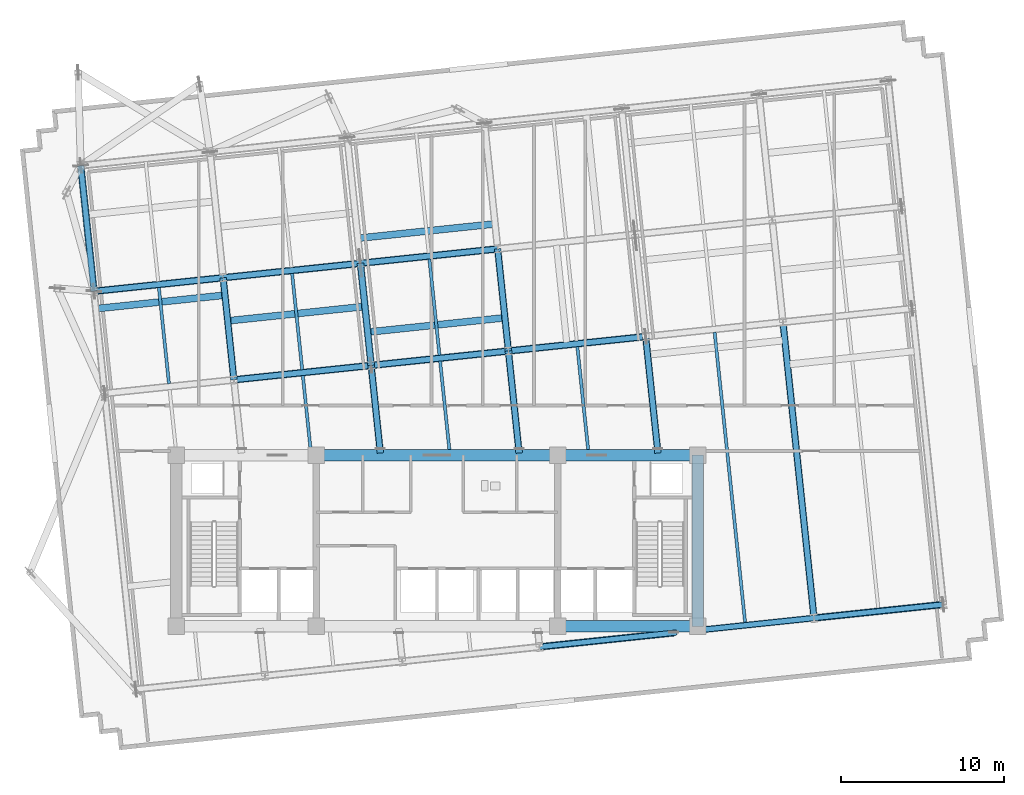
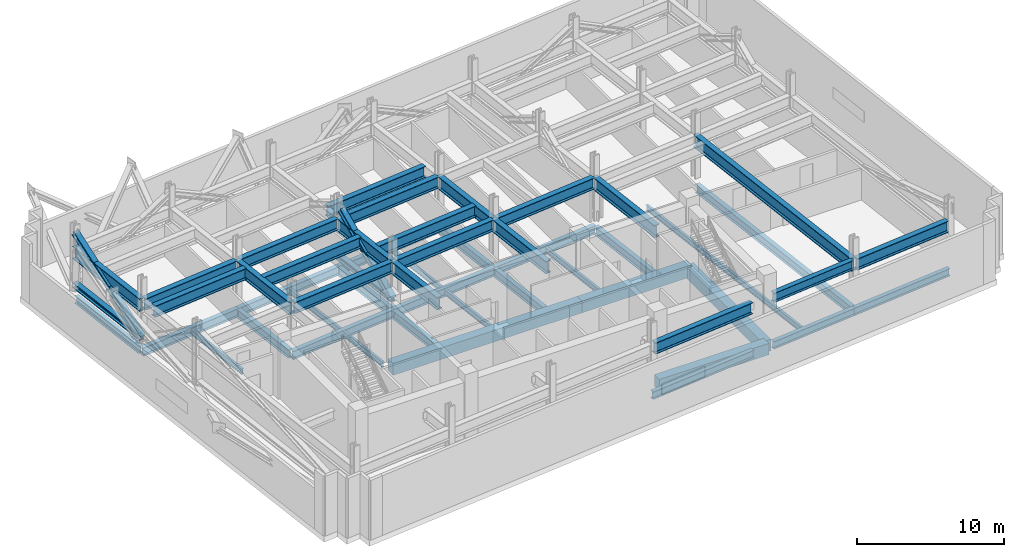
# One storey, part 2 of 11: 49 beams, 4 members.
"""IFC4 building model written with IfcOpenShell, lengths in metres."""

from ifc_helpers import new_model, si_unit, direction, frame, origin, origin_2d, place, context, subcontext, project, spatial, rectangle, i_section, extrude, material, material_profile, profile_set, type_object, element, save


model = new_model("IFC4")

# Units and contexts
model_context = context("Model", 3, precision=1e-05, world=origin(), true_north=direction((0.0, 1.0)))
body_context = subcontext(model_context, "Body", "Model", "MODEL_VIEW")
ifc_project = project(units=[si_unit("LENGTHUNIT", "METRE"), si_unit("AREAUNIT", "SQUARE_METRE"), si_unit("VOLUMEUNIT", "CUBIC_METRE"), si_unit("PLANEANGLEUNIT", "RADIAN"), si_unit("MASSUNIT", "GRAM", prefix="KILO")], contexts=[model_context])

# Site, building, storey
site_placement = place(None, origin())
site = spatial("IfcSite", under=ifc_project, at=site_placement, CompositionType="ELEMENT")
building_placement = place(site_placement, origin())
building = spatial("IfcBuilding", under=site, at=building_placement, Name="Solmavex Isthmus Hotel", CompositionType="ELEMENT")
storey_placement = place(building_placement, frame((0.0, 0.0, 130.5)))
storey = spatial("IfcBuildingStorey", under=building, at=storey_placement, Name="L35", CompositionType="ELEMENT", Elevation=130.5)

# Beams
ifc_material_1 = material(Name="Steel ASTM A992 Grade 50", Category="steel")
ifc_material_profile_1 = material_profile(ifc_material_1, i_section(OverallWidth=0.354736328125, OverallDepth=0.695556640625, WebThickness=0.015380859375, FlangeThickness=0.02490234375, FilletRadius=0.017822265625, at=origin_2d()), Name="W27X146")
ifc_profile_set_1 = profile_set([ifc_material_profile_1], Name="Steel ASTM A992 Grade 50")
beam_type_1 = type_object("IfcBeamType", Name="BM-BG-W27X146", PredefinedType="BEAM", material=ifc_profile_set_1)
beam_1_placement = place(storey_placement, frame((-12.458740234375, 2.11865234375, -0.7978515625), z_axis=(0.994521085209, 0.104536171134, 0.0), x_axis=(-0.104536171134, 0.994521085209, 0.0)))
element("IfcBeam", 1, at=beam_1_placement, inside=storey, type_object=beam_type_1, Name="Floor Girder L35-UG08", PredefinedType="BEAM", context=body_context, shape_type="SweptSolid", body=[
    extrude(i_section(OverallWidth=0.354736328125, OverallDepth=0.695556640625, WebThickness=0.015380859375, FlangeThickness=0.02490234375, FilletRadius=0.017822265625, at=origin_2d()), origin(), (0.0, 0.0, 1.0), 8.466064453125),
])
beam_2_placement = place(storey_placement, frame((-4.0390625, 3.003662109375, -0.7978515625), z_axis=(0.994523767887, 0.104510645909, 0.0), x_axis=(-0.104510645909, 0.994523767887, 0.0)))
element("IfcBeam", 2, at=beam_2_placement, inside=storey, type_object=beam_type_1, Name="Floor Girder L35-UG09", PredefinedType="BEAM", context=body_context, shape_type="SweptSolid", body=[
    extrude(i_section(OverallWidth=0.354736328125, OverallDepth=0.695556640625, WebThickness=0.015380859375, FlangeThickness=0.02490234375, FilletRadius=0.017822265625, at=origin_2d()), origin(), (0.0, 0.0, 1.0), 8.4658203125),
])
beam_3_placement = place(storey_placement, frame((4.38037109375, 3.888427734375, -0.7978515625), z_axis=(0.994521085209, 0.104536171134, 0.0), x_axis=(-0.104536171134, 0.994521085209, 0.0)))
element("IfcBeam", 3, at=beam_3_placement, inside=storey, type_object=beam_type_1, Name="Floor Girder L35-UG10", PredefinedType="BEAM", context=body_context, shape_type="SweptSolid", body=[
    extrude(i_section(OverallWidth=0.354736328125, OverallDepth=0.695556640625, WebThickness=0.015380859375, FlangeThickness=0.02490234375, FilletRadius=0.017822265625, at=origin_2d()), origin(), (0.0, 0.0, 1.0), 8.466064453125),
])
beam_4_placement = place(storey_placement, frame((-21.04150390625, 7.54931640625, -0.7978515625), z_axis=(0.994523402738, 0.104514120609, 0.0), x_axis=(-0.104514120609, 0.994523402738, 0.0)))
element("IfcBeam", 4, at=beam_4_placement, inside=storey, type_object=beam_type_1, Name="Floor Girder L35-UG13", PredefinedType="BEAM", context=body_context, shape_type="SweptSolid", body=[
    extrude(i_section(OverallWidth=0.354736328125, OverallDepth=0.695556640625, WebThickness=0.015380859375, FlangeThickness=0.02490234375, FilletRadius=0.017822265625, at=origin_2d()), origin(), (0.0, 0.0, 1.0), 7.968017578125),
])
for number, where, z_axis, x_axis, name in (
    (5, (-13.1171875, 8.382080078125, -0.7978515625), (0.994521085209, 0.104536171134, 0.0), (-0.104536171134, 0.994521085209, 0.0), "Floor Girder L35-UG14"),
    (6, (-4.697509765625, 9.26708984375, -0.7978515625), (0.994521085209, 0.104536171134, 0.0), (-0.104536171134, 0.994521085209, 0.0), "Floor Girder L35-UG15"),
):
    element("IfcBeam", number, at=place(storey_placement, frame(where, z_axis=z_axis, x_axis=x_axis)), inside=storey, type_object=beam_type_1, Name=name, PredefinedType="BEAM", context=body_context, shape_type="SweptSolid", body=[
        extrude(i_section(OverallWidth=0.354736328125, OverallDepth=0.695556640625, WebThickness=0.015380859375, FlangeThickness=0.02490234375, FilletRadius=0.017822265625, at=origin_2d()), origin(), (0.0, 0.0, 1.0), 8.466064453125),
    ])
beam_5_placement = place(storey_placement, frame((-12.477294921875, 2.295166015625, -0.7978515625), z_axis=(-0.104545790518, 0.994520074048, 0.0), x_axis=(-0.994520074048, -0.104545790518, 0.0)))
element("IfcBeam", 7, at=beam_5_placement, inside=storey, type_object=beam_type_1, Name="Floor Beam L35-VG30", PredefinedType="BEAM", context=body_context, shape_type="SweptSolid", body=[
    extrude(i_section(OverallWidth=0.354736328125, OverallDepth=0.695556640625, WebThickness=0.015380859375, FlangeThickness=0.02490234375, FilletRadius=0.017822265625, at=origin_2d()), origin(), (0.0, 0.0, 1.0), 5.943115234375),
])
beam_6_placement = place(storey_placement, frame((-3.49755859375, -2.14990234375, -0.7978515625), z_axis=(-0.104496861251, 0.994525216366, 0.0), x_axis=(-0.994525216366, -0.104496861251, 0.0)))
element("IfcBeam", 8, at=beam_6_placement, inside=storey, type_object=beam_type_1, Name="Floor Beam L35-VG33", PredefinedType="BEAM", context=body_context, shape_type="SweptSolid", body=[
    extrude(i_section(OverallWidth=0.354736328125, OverallDepth=0.695556640625, WebThickness=0.015380859375, FlangeThickness=0.02490234375, FilletRadius=0.017822265625, at=origin_2d()), origin(), (0.0, 0.0, 1.0), 5.00439453125),
])
beam_7_placement = place(storey_placement, frame((-4.0576171875, 3.179931640625, -0.7978515625), z_axis=(-0.104545790518, 0.994520074048, 0.0), x_axis=(-0.994520074048, -0.104545790518, 0.0)))
element("IfcBeam", 9, at=beam_7_placement, inside=storey, type_object=beam_type_1, Name="Floor Beam L35-VG34", PredefinedType="BEAM", context=body_context, shape_type="SweptSolid", body=[
    extrude(i_section(OverallWidth=0.354736328125, OverallDepth=0.695556640625, WebThickness=0.015380859375, FlangeThickness=0.02490234375, FilletRadius=0.017822265625, at=origin_2d()), origin(), (0.0, 0.0, 1.0), 5.943115234375),
])
beam_8_placement = place(storey_placement, frame((5.01513671875, -2.14990234375, -0.7978515625), z_axis=(-0.104542482388, 0.994520421799, 0.0), x_axis=(-0.994520421799, -0.104542482388, 0.0)))
element("IfcBeam", 10, at=beam_8_placement, inside=storey, type_object=beam_type_1, Name="Floor Beam L35-VG37", PredefinedType="BEAM", context=body_context, shape_type="SweptSolid", body=[
    extrude(i_section(OverallWidth=0.354736328125, OverallDepth=0.695556640625, WebThickness=0.015380859375, FlangeThickness=0.02490234375, FilletRadius=0.017822265625, at=origin_2d()), origin(), (0.0, 0.0, 1.0), 5.894287109375),
])
beam_9_placement = place(storey_placement, frame((4.362060546875, 4.06494140625, -0.7978515625), z_axis=(-0.104545790518, 0.994520074048, 0.0), x_axis=(-0.994520074048, -0.104545790518, 0.0)))
element("IfcBeam", 11, at=beam_9_placement, inside=storey, type_object=beam_type_1, Name="Floor Beam L35-VG38", PredefinedType="BEAM", context=body_context, shape_type="SweptSolid", body=[
    extrude(i_section(OverallWidth=0.354736328125, OverallDepth=0.695556640625, WebThickness=0.015380859375, FlangeThickness=0.02490234375, FilletRadius=0.017822265625, at=origin_2d()), origin(), (0.0, 0.0, 1.0), 5.943115234375),
])
beam_10_placement = place(storey_placement, frame((13.52783203125, -2.14990234375, -0.7978515625), z_axis=(-0.104544283528, 0.994520232465, 0.0), x_axis=(-0.994520232465, -0.104544283528, 0.0)))
element("IfcBeam", 12, at=beam_10_placement, inside=storey, type_object=beam_type_1, Name="Floor Beam L35-VG40", PredefinedType="BEAM", context=body_context, shape_type="SweptSolid", body=[
    extrude(i_section(OverallWidth=0.354736328125, OverallDepth=0.695556640625, WebThickness=0.015380859375, FlangeThickness=0.02490234375, FilletRadius=0.017822265625, at=origin_2d()), origin(), (0.0, 0.0, 1.0), 6.783935546875),
])
beam_11_placement = place(storey_placement, frame((23.1103515625, -12.329345703125, -0.7978515625), z_axis=(-0.104530088192, 0.99452172458, 0.0), x_axis=(-0.99452172458, -0.104530088192, 0.0)))
element("IfcBeam", 13, at=beam_11_placement, inside=storey, type_object=beam_type_1, Name="Floor Beam L35-VG43", PredefinedType="BEAM", context=body_context, shape_type="SweptSolid", body=[
    extrude(i_section(OverallWidth=0.354736328125, OverallDepth=0.695556640625, WebThickness=0.015380859375, FlangeThickness=0.02490234375, FilletRadius=0.017822265625, at=origin_2d()), origin(), (0.0, 0.0, 1.0), 17.909423828125),
])
ifc_material_profile_2 = material_profile(ifc_material_1, i_section(OverallWidth=0.380615234375, OverallDepth=0.773193359375, WebThickness=0.0166015625, FlangeThickness=0.027099609375, FilletRadius=0.01904296875, at=origin_2d()), Name="W30X173")
ifc_profile_set_2 = profile_set([ifc_material_profile_2], Name="Steel ASTM A992 Grade 50")
beam_type_2 = type_object("IfcBeamType", Name="BM-BG-W30X173", PredefinedType="BEAM", material=ifc_profile_set_2)
beam_12_placement = place(storey_placement, frame((16.35009765625, -13.2041015625, 3.183349609375), z_axis=(0.994519104163, 0.104555016406, 0.0), x_axis=(-0.104555016406, 0.994519104163, 0.0)))
element("IfcBeam", 14, at=beam_12_placement, inside=storey, type_object=beam_type_2, Name="Floor Framing Cross Girder L35-XLC29", PredefinedType="BEAM", context=body_context, shape_type="SweptSolid", body=[
    extrude(i_section(OverallWidth=0.380615234375, OverallDepth=0.773193359375, WebThickness=0.0166015625, FlangeThickness=0.027099609375, FilletRadius=0.01904296875, at=origin_2d()), origin(), (0.0, 0.0, 1.0), 6.65966796875),
])
ifc_material_profile_3 = material_profile(ifc_material_1, i_section(OverallWidth=0.1904296875, OverallDepth=0.456787109375, WebThickness=0.009033203125, FlangeThickness=0.014404296875, FilletRadius=0.0126953125, at=origin_2d()), Name="W18X50")
ifc_profile_set_3 = profile_set([ifc_material_profile_3], Name="Steel ASTM A992 Grade 50")
beam_type_3 = type_object("IfcBeamType", Name="BM-BJ-W18X50", PredefinedType="JOIST", material=ifc_profile_set_3)
beam_13_placement = place(storey_placement, frame((-16.439453125, 1.878662109375, -0.678466796875), z_axis=(-0.104545790518, 0.994520074048, 0.0), x_axis=(-0.994520074048, -0.104545790518, 0.0)))
element("IfcBeam", 15, at=beam_13_placement, inside=storey, type_object=beam_type_3, Name="Secondary Floor Joist L35-J03", PredefinedType="JOIST", context=body_context, shape_type="SweptSolid", body=[
    extrude(i_section(OverallWidth=0.1904296875, OverallDepth=0.456787109375, WebThickness=0.009033203125, FlangeThickness=0.014404296875, FilletRadius=0.0126953125, at=origin_2d()), origin(), (0.0, 0.0, 1.0), 5.943115234375),
])
beam_14_placement = place(storey_placement, frame((-7.75390625, -2.14990234375, -0.678466796875), z_axis=(-0.104517550263, 0.994523042311, 0.0), x_axis=(-0.994523042311, -0.104517550263, 0.0)))
element("IfcBeam", 16, at=beam_14_placement, inside=storey, type_object=beam_type_3, Name="Secondary Floor Joist L35-J06", PredefinedType="JOIST", context=body_context, shape_type="SweptSolid", body=[
    extrude(i_section(OverallWidth=0.1904296875, OverallDepth=0.456787109375, WebThickness=0.009033203125, FlangeThickness=0.014404296875, FilletRadius=0.0126953125, at=origin_2d()), origin(), (0.0, 0.0, 1.0), 4.5595703125),
])
beam_15_placement = place(storey_placement, frame((-8.267578125, 2.737548828125, -0.678466796875), z_axis=(-0.104505160346, 0.994524344328, 0.0), x_axis=(-0.994524344328, -0.104505160346, 0.0)))
element("IfcBeam", 17, at=beam_15_placement, inside=storey, type_object=beam_type_3, Name="Secondary Floor Joist L35-J07", PredefinedType="JOIST", context=body_context, shape_type="SweptSolid", body=[
    extrude(i_section(OverallWidth=0.1904296875, OverallDepth=0.456787109375, WebThickness=0.009033203125, FlangeThickness=0.014404296875, FilletRadius=0.0126953125, at=origin_2d()), origin(), (0.0, 0.0, 1.0), 5.943115234375),
])
beam_16_placement = place(storey_placement, frame((0.7587890625, -2.14990234375, -0.678466796875), z_axis=(-0.104523862956, 0.99452237887, 0.0), x_axis=(-0.99452237887, -0.104523862956, 0.0)))
element("IfcBeam", 18, at=beam_16_placement, inside=storey, type_object=beam_type_3, Name="Secondary Floor Joist L35-J10", PredefinedType="JOIST", context=body_context, shape_type="SweptSolid", body=[
    extrude(i_section(OverallWidth=0.1904296875, OverallDepth=0.456787109375, WebThickness=0.009033203125, FlangeThickness=0.014404296875, FilletRadius=0.0126953125, at=origin_2d()), origin(), (0.0, 0.0, 1.0), 5.44921875),
])
beam_17_placement = place(storey_placement, frame((0.152099609375, 3.62255859375, -0.678466796875), z_axis=(-0.104505160346, 0.994524344328, 0.0), x_axis=(-0.994524344328, -0.104505160346, 0.0)))
element("IfcBeam", 19, at=beam_17_placement, inside=storey, type_object=beam_type_3, Name="Secondary Floor Joist L35-J11", PredefinedType="JOIST", context=body_context, shape_type="SweptSolid", body=[
    extrude(i_section(OverallWidth=0.1904296875, OverallDepth=0.456787109375, WebThickness=0.009033203125, FlangeThickness=0.014404296875, FilletRadius=0.0126953125, at=origin_2d()), origin(), (0.0, 0.0, 1.0), 5.943115234375),
])
beam_18_placement = place(storey_placement, frame((9.271484375, -2.14990234375, -0.678466796875), z_axis=(-0.104524400071, 0.994522322419, 0.0), x_axis=(-0.994522322419, -0.104524400071, 0.0)))
element("IfcBeam", 20, at=beam_18_placement, inside=storey, type_object=beam_type_3, Name="Secondary Floor Joist L35-J13", PredefinedType="JOIST", context=body_context, shape_type="SweptSolid", body=[
    extrude(i_section(OverallWidth=0.1904296875, OverallDepth=0.456787109375, WebThickness=0.009033203125, FlangeThickness=0.014404296875, FilletRadius=0.0126953125, at=origin_2d()), origin(), (0.0, 0.0, 1.0), 6.339111328125),
])
beam_19_placement = place(storey_placement, frame((18.900390625, -12.771728515625, -0.678466796875), z_axis=(-0.104516605126, 0.994523141638, 0.0), x_axis=(-0.994523141638, -0.104516605126, 0.0)))
element("IfcBeam", 21, at=beam_19_placement, inside=storey, type_object=beam_type_3, Name="Secondary Floor Joist L35-J16", PredefinedType="JOIST", context=body_context, shape_type="SweptSolid", body=[
    extrude(i_section(OverallWidth=0.1904296875, OverallDepth=0.456787109375, WebThickness=0.009033203125, FlangeThickness=0.014404296875, FilletRadius=0.0126953125, at=origin_2d()), origin(), (0.0, 0.0, 1.0), 17.909423828125),
])
ifc_material_2 = material(Name="Concrete C60/75", Category="concrete")
ifc_material_profile_4 = material_profile(ifc_material_2, rectangle(XDim=0.699951171875, YDim=0.949951171875, at=origin_2d()), Name="RC700X950")
ifc_profile_set_4 = profile_set([ifc_material_profile_4], Name="Concrete C60/75")
beam_type_4 = type_object("IfcBeamType", Name="BM-CB-700X950", PredefinedType="BEAM", material=ifc_profile_set_4)
beam_20_placement = place(storey_placement, frame((7.39990234375, -13.0, -0.925048828125), z_axis=(1.0, 0.0, 0.0), x_axis=(0.0, 1.0, 0.0)))
element("IfcBeam", 22, at=beam_20_placement, inside=storey, type_object=beam_type_4, Name="Core Coupling Beam L35-CB3", PredefinedType="BEAM", context=body_context, shape_type="SweptSolid", body=[
    extrude(rectangle(XDim=0.699951171875, YDim=0.949951171875, at=origin_2d()), origin(), (0.0, 0.0, 1.0), 8.60009765625),
])
beam_21_placement = place(storey_placement, frame((-7.39990234375, -2.5, -0.81494140625), z_axis=(1.0, 0.0, 0.0), x_axis=(0.0, 1.0, 0.0)))
element("IfcBeam", 23, at=beam_21_placement, inside=storey, type_object=beam_type_4, Name="Core Coupling Beam L35-CB5", PredefinedType="BEAM", context=body_context, shape_type="SweptSolid", body=[
    extrude(rectangle(XDim=0.699951171875, YDim=0.949951171875, at=origin_2d()), origin(), (0.0, 0.0, 1.0), 14.7998046875),
])
beam_22_placement = place(storey_placement, frame((7.39990234375, -2.5, -0.81494140625), z_axis=(1.0, 0.0, 0.0), x_axis=(0.0, 1.0, 0.0)))
element("IfcBeam", 24, at=beam_22_placement, inside=storey, type_object=beam_type_4, Name="Core Coupling Beam L35-CB6", PredefinedType="BEAM", context=body_context, shape_type="SweptSolid", body=[
    extrude(rectangle(XDim=0.699951171875, YDim=0.949951171875, at=origin_2d()), origin(), (0.0, 0.0, 1.0), 8.60009765625),
])
beam_23_placement = place(storey_placement, frame((16.0, -13.0, -0.925048828125), z_axis=(0.0, 1.0, 0.0), x_axis=(-1.0, 0.0, 0.0)))
element("IfcBeam", 25, at=beam_23_placement, inside=storey, type_object=beam_type_4, Name="Core Coupling Beam L35-CB8", PredefinedType="BEAM", context=body_context, shape_type="SweptSolid", body=[
    extrude(rectangle(XDim=0.699951171875, YDim=0.949951171875, at=origin_2d()), origin(), (0.0, 0.0, 1.0), 10.5),
])
ifc_material_profile_5 = material_profile(ifc_material_1, i_section(OverallWidth=0.326416015625, OverallDepth=0.621826171875, WebThickness=0.015380859375, FlangeThickness=0.0244140625, FilletRadius=0.01513671875, at=origin_2d()), Name="W24X131")
ifc_profile_set_5 = profile_set([ifc_material_profile_5], Name="Steel ASTM A992 Grade 50")
beam_type_5 = type_object("IfcBeamType", Name="BM-SP-W24X131", PredefinedType="SPANDREL", material=ifc_profile_set_5)
beam_24_placement = place(storey_placement, frame((6.2880859375, -14.261474609375, -0.760986328125), z_axis=(0.994524082861, 0.104507648572, 0.0), x_axis=(-0.104507648572, 0.994524082861, 0.0)))
element("IfcBeam", 26, at=beam_24_placement, inside=storey, type_object=beam_type_5, Name="Floor Girder L35-UG04", PredefinedType="SPANDREL", context=body_context, shape_type="SweptSolid", body=[
    extrude(i_section(OverallWidth=0.326416015625, OverallDepth=0.621826171875, WebThickness=0.015380859375, FlangeThickness=0.0244140625, FilletRadius=0.01513671875, at=origin_2d()), origin(), (0.0, 0.0, 1.0), 8.466064453125),
])
beam_25_placement = place(storey_placement, frame((16.35009765625, -13.2041015625, -0.760986328125), z_axis=(0.994520754079, 0.10453932134, 0.0), x_axis=(-0.10453932134, 0.994520754079, 0.0)))
element("IfcBeam", 27, at=beam_25_placement, inside=storey, type_object=beam_type_5, Name="Floor Girder L35-UG05", PredefinedType="SPANDREL", context=body_context, shape_type="SweptSolid", body=[
    extrude(i_section(OverallWidth=0.326416015625, OverallDepth=0.621826171875, WebThickness=0.015380859375, FlangeThickness=0.0244140625, FilletRadius=0.01513671875, at=origin_2d()), origin(), (0.0, 0.0, 1.0), 6.814697265625),
])
beam_26_placement = place(storey_placement, frame((23.12744140625, -12.49169921875, -0.760986328125), z_axis=(0.994520217478, 0.10454442609, 0.0), x_axis=(-0.10454442609, 0.994520217478, 0.0)))
element("IfcBeam", 28, at=beam_26_placement, inside=storey, type_object=beam_type_5, Name="Floor Girder L35-UG06", PredefinedType="SPANDREL", context=body_context, shape_type="SweptSolid", body=[
    extrude(i_section(OverallWidth=0.326416015625, OverallDepth=0.621826171875, WebThickness=0.015380859375, FlangeThickness=0.0244140625, FilletRadius=0.01513671875, at=origin_2d()), origin(), (0.0, 0.0, 1.0), 7.968017578125),
])
beam_27_placement = place(storey_placement, frame((-21.06005859375, 7.7255859375, -0.760986328125), z_axis=(-0.10452188296, 0.994522586964, 0.0), x_axis=(-0.994522586964, -0.10452188296, 0.0)))
element("IfcBeam", 29, at=beam_27_placement, inside=storey, type_object=beam_type_5, Name="Floor Beam L35-VG27", PredefinedType="SPANDREL", context=body_context, shape_type="SweptSolid", body=[
    extrude(i_section(OverallWidth=0.326416015625, OverallDepth=0.621826171875, WebThickness=0.015380859375, FlangeThickness=0.0244140625, FilletRadius=0.01513671875, at=origin_2d()), origin(), (0.0, 0.0, 1.0), 7.411376953125),
])
ifc_material_3 = material(Name="Steel ASTM A913 Grade 65", Category="steel")
ifc_material_profile_6 = material_profile(ifc_material_3, i_section(OverallWidth=0.423095703125, OverallDepth=0.93896484375, WebThickness=0.02392578125, FlangeThickness=0.042724609375, FilletRadius=0.024169921875, at=origin_2d()), Name="W36X302")
ifc_profile_set_6 = profile_set([ifc_material_profile_6], Name="Steel ASTM A913 Grade 65")
beam_type_6 = type_object("IfcBeamType", Name="BM-TB-W36X302", PredefinedType="BEAM", material=ifc_profile_set_6)
beam_28_placement = place(storey_placement, frame((6.4423828125, -14.245361328125, 3.1005859375), z_axis=(0.994521842818, 0.104528963253, 0.0), x_axis=(-0.104528963253, 0.994521842818, 0.0)))
element("IfcBeam", 30, at=beam_28_placement, inside=storey, type_object=beam_type_6, Name="Horizontal Outrigger Collector Girder L35-XLC28", PredefinedType="BEAM", context=body_context, shape_type="SweptSolid", body=[
    extrude(i_section(OverallWidth=0.423095703125, OverallDepth=0.93896484375, WebThickness=0.02392578125, FlangeThickness=0.042724609375, FilletRadius=0.024169921875, at=origin_2d()), origin(), (0.0, 0.0, 1.0), 8.156005859375),
])
beam_29_placement = place(storey_placement, frame((23.281494140625, -12.475341796875, 3.1005859375), z_axis=(0.994524303269, 0.104505551086, 0.0), x_axis=(-0.104505551086, 0.994524303269, 0.0)))
element("IfcBeam", 31, at=beam_29_placement, inside=storey, type_object=beam_type_6, Name="Horizontal Outrigger Collector Girder L35-XLC30", PredefinedType="BEAM", context=body_context, shape_type="SweptSolid", body=[
    extrude(i_section(OverallWidth=0.423095703125, OverallDepth=0.93896484375, WebThickness=0.02392578125, FlangeThickness=0.042724609375, FilletRadius=0.024169921875, at=origin_2d()), origin(), (0.0, 0.0, 1.0), 7.657958984375),
])
for number, where, z_axis, x_axis, name in (
    (32, (-12.3046875, 2.134765625, 3.1005859375), (0.994521842818, 0.104528963253, 0.0), (-0.104528963253, 0.994521842818, 0.0), "Horizontal Outrigger Collector Girder L35-XLC32"),
    (33, (-3.885009765625, 3.019775390625, 3.1005859375), (0.994521842818, 0.104528963253, 0.0), (-0.104528963253, 0.994521842818, 0.0), "Horizontal Outrigger Collector Girder L35-XLC33"),
    (34, (4.53466796875, 3.90478515625, 3.1005859375), (0.994521842818, 0.104528963253, 0.0), (-0.104528963253, 0.994521842818, 0.0), "Horizontal Outrigger Collector Girder L35-XLC34"),
):
    element("IfcBeam", number, at=place(storey_placement, frame(where, z_axis=z_axis, x_axis=x_axis)), inside=storey, type_object=beam_type_6, Name=name, PredefinedType="BEAM", context=body_context, shape_type="SweptSolid", body=[
        extrude(i_section(OverallWidth=0.423095703125, OverallDepth=0.93896484375, WebThickness=0.02392578125, FlangeThickness=0.042724609375, FilletRadius=0.024169921875, at=origin_2d()), origin(), (0.0, 0.0, 1.0), 8.156005859375),
    ])
beam_30_placement = place(storey_placement, frame((-20.88720703125, 7.5654296875, 3.1005859375), z_axis=(0.994520989294, 0.104537083632, 0.0), x_axis=(-0.104537083632, 0.994520989294, 0.0)))
element("IfcBeam", 35, at=beam_30_placement, inside=storey, type_object=beam_type_6, Name="Horizontal Outrigger Collector Girder L35-XLC37", PredefinedType="BEAM", context=body_context, shape_type="SweptSolid", body=[
    extrude(i_section(OverallWidth=0.423095703125, OverallDepth=0.93896484375, WebThickness=0.02392578125, FlangeThickness=0.042724609375, FilletRadius=0.024169921875, at=origin_2d()), origin(), (0.0, 0.0, 1.0), 7.657958984375),
])
for number, where, z_axis, x_axis, name in (
    (36, (-12.962890625, 8.3984375, 3.1005859375), (0.994524954199, 0.104499356342, 0.0), (-0.104499356342, 0.994524954199, 0.0), "Horizontal Outrigger Collector Girder L35-XLC38"),
    (37, (-4.543212890625, 9.283203125, 3.1005859375), (0.994521842818, 0.104528963253, 0.0), (-0.104528963253, 0.994521842818, 0.0), "Horizontal Outrigger Collector Girder L35-XLC39"),
):
    element("IfcBeam", number, at=place(storey_placement, frame(where, z_axis=z_axis, x_axis=x_axis)), inside=storey, type_object=beam_type_6, Name=name, PredefinedType="BEAM", context=body_context, shape_type="SweptSolid", body=[
        extrude(i_section(OverallWidth=0.423095703125, OverallDepth=0.93896484375, WebThickness=0.02392578125, FlangeThickness=0.042724609375, FilletRadius=0.024169921875, at=origin_2d()), origin(), (0.0, 0.0, 1.0), 8.156005859375),
    ])
beam_31_placement = place(storey_placement, frame((-20.77490234375, 6.49658203125, 3.1005859375), z_axis=(0.994524303269, 0.104505551086, 0.0), x_axis=(-0.104505551086, 0.994524303269, 0.0)))
element("IfcBeam", 38, at=beam_31_placement, inside=storey, type_object=beam_type_6, Name="Horizontal Outrigger Collector Girder L35-XLC50", PredefinedType="BEAM", context=body_context, shape_type="SweptSolid", body=[
    extrude(i_section(OverallWidth=0.423095703125, OverallDepth=0.93896484375, WebThickness=0.02392578125, FlangeThickness=0.042724609375, FilletRadius=0.024169921875, at=origin_2d()), origin(), (0.0, 0.0, 1.0), 7.657958984375),
])
for number, where, z_axis, x_axis, name in (
    (39, (-12.684814453125, 5.751953125, 3.1005859375), (0.994521842818, 0.104528963253, 0.0), (-0.104528963253, 0.994521842818, 0.0), "Horizontal Outrigger Collector Girder L35-XLC52"),
    (40, (-4.099365234375, 5.059326171875, 3.1005859375), (0.994521842818, 0.104528963253, 0.0), (-0.104528963253, 0.994521842818, 0.0), "Horizontal Outrigger Collector Girder L35-XLC54"),
    (41, (-4.70458984375, 10.817138671875, 3.1005859375), (0.994524954199, 0.104499356342, 0.0), (-0.104499356342, 0.994524954199, 0.0), "Horizontal Outrigger Collector Girder L35-XLC55"),
):
    element("IfcBeam", number, at=place(storey_placement, frame(where, z_axis=z_axis, x_axis=x_axis)), inside=storey, type_object=beam_type_6, Name=name, PredefinedType="BEAM", context=body_context, shape_type="SweptSolid", body=[
        extrude(i_section(OverallWidth=0.423095703125, OverallDepth=0.93896484375, WebThickness=0.02392578125, FlangeThickness=0.042724609375, FilletRadius=0.024169921875, at=origin_2d()), origin(), (0.0, 0.0, 1.0), 8.156005859375),
    ])
ifc_material_profile_7 = material_profile(ifc_material_3, i_section(OverallWidth=0.409423828125, OverallDepth=1.036376953125, WebThickness=0.031005859375, FlangeThickness=0.055908203125, FilletRadius=0.030517578125, at=origin_2d()), Name="W40X397")
ifc_profile_set_7 = profile_set([ifc_material_profile_7], Name="Steel ASTM A913 Grade 65")
beam_type_7 = type_object("IfcBeamType", Name="BM-TB-W40X397B", PredefinedType="BEAM", material=ifc_profile_set_7)
beam_32_placement = place(storey_placement, frame((-21.04150390625, 7.54931640625, 3.0517578125), z_axis=(-0.104529038259, 0.994521834934, 0.0), x_axis=(-0.994521834934, -0.104529038259, 0.0)))
element("IfcBeam", 42, at=beam_32_placement, inside=storey, type_object=beam_type_7, Name="Horizontal Transfer Carrier Girder L35-XLC03", PredefinedType="BEAM", context=body_context, shape_type="SweptSolid", body=[
    extrude(i_section(OverallWidth=0.409423828125, OverallDepth=1.036376953125, WebThickness=0.031005859375, FlangeThickness=0.055908203125, FilletRadius=0.030517578125, at=origin_2d()), origin(), (0.0, 0.0, 1.0), 7.751953125),
])
beam_33_placement = place(storey_placement, frame((-12.458740234375, 2.11865234375, 3.0517578125), z_axis=(-0.104549583486, 0.994519675317, 0.0), x_axis=(-0.994519675317, -0.104549583486, 0.0)))
element("IfcBeam", 43, at=beam_33_placement, inside=storey, type_object=beam_type_7, Name="Horizontal Transfer Carrier Girder L35-XLC06", PredefinedType="BEAM", context=body_context, shape_type="SweptSolid", body=[
    extrude(i_section(OverallWidth=0.409423828125, OverallDepth=1.036376953125, WebThickness=0.031005859375, FlangeThickness=0.055908203125, FilletRadius=0.030517578125, at=origin_2d()), origin(), (0.0, 0.0, 1.0), 6.2978515625),
])
beam_34_placement = place(storey_placement, frame((-3.474365234375, -2.3701171875, 3.0517578125), z_axis=(-0.104508383312, 0.994524005652, 0.0), x_axis=(-0.994524005652, -0.104508383312, 0.0)))
element("IfcBeam", 44, at=beam_34_placement, inside=storey, type_object=beam_type_7, Name="Horizontal Transfer Carrier Girder L35-XLC09", PredefinedType="BEAM", context=body_context, shape_type="SweptSolid", body=[
    extrude(i_section(OverallWidth=0.409423828125, OverallDepth=1.036376953125, WebThickness=0.031005859375, FlangeThickness=0.055908203125, FilletRadius=0.030517578125, at=origin_2d()), origin(), (0.0, 0.0, 1.0), 5.4033203125),
])
beam_35_placement = place(storey_placement, frame((-4.0390625, 3.003662109375, 3.0517578125), z_axis=(-0.104549583486, 0.994519675317, 0.0), x_axis=(-0.994519675317, -0.104549583486, 0.0)))
element("IfcBeam", 45, at=beam_35_placement, inside=storey, type_object=beam_type_7, Name="Horizontal Transfer Carrier Girder L35-XLC10", PredefinedType="BEAM", context=body_context, shape_type="SweptSolid", body=[
    extrude(i_section(OverallWidth=0.409423828125, OverallDepth=1.036376953125, WebThickness=0.031005859375, FlangeThickness=0.055908203125, FilletRadius=0.030517578125, at=origin_2d()), origin(), (0.0, 0.0, 1.0), 6.2978515625),
])
beam_36_placement = place(storey_placement, frame((5.038330078125, -2.3701171875, 3.0517578125), z_axis=(-0.104553517087, 0.994519261787, 0.0), x_axis=(-0.994519261787, -0.104553517087, 0.0)))
element("IfcBeam", 46, at=beam_36_placement, inside=storey, type_object=beam_type_7, Name="Horizontal Transfer Carrier Girder L35-XLC13", PredefinedType="BEAM", context=body_context, shape_type="SweptSolid", body=[
    extrude(i_section(OverallWidth=0.409423828125, OverallDepth=1.036376953125, WebThickness=0.031005859375, FlangeThickness=0.055908203125, FilletRadius=0.030517578125, at=origin_2d()), origin(), (0.0, 0.0, 1.0), 6.29296875),
])
beam_37_placement = place(storey_placement, frame((4.38037109375, 3.888427734375, 3.0517578125), z_axis=(-0.104507212771, 0.994524128656, 0.0), x_axis=(-0.994524128656, -0.104507212771, 0.0)))
element("IfcBeam", 47, at=beam_37_placement, inside=storey, type_object=beam_type_7, Name="Horizontal Transfer Carrier Girder L35-XLC14", PredefinedType="BEAM", context=body_context, shape_type="SweptSolid", body=[
    extrude(i_section(OverallWidth=0.409423828125, OverallDepth=1.036376953125, WebThickness=0.031005859375, FlangeThickness=0.055908203125, FilletRadius=0.030517578125, at=origin_2d()), origin(), (0.0, 0.0, 1.0), 6.298095703125),
])
beam_38_placement = place(storey_placement, frame((13.551025390625, -2.3701171875, 3.0517578125), z_axis=(-0.104550317293, 0.994519598175, 0.0), x_axis=(-0.994519598175, -0.104550317293, 0.0)))
element("IfcBeam", 48, at=beam_38_placement, inside=storey, type_object=beam_type_7, Name="Horizontal Transfer Carrier Girder L35-XLC16", PredefinedType="BEAM", context=body_context, shape_type="SweptSolid", body=[
    extrude(i_section(OverallWidth=0.409423828125, OverallDepth=1.036376953125, WebThickness=0.031005859375, FlangeThickness=0.055908203125, FilletRadius=0.030517578125, at=origin_2d()), origin(), (0.0, 0.0, 1.0), 7.182861328125),
])
beam_39_placement = place(storey_placement, frame((23.12744140625, -12.49169921875, 3.0517578125), z_axis=(-0.104531583708, 0.994521567392, 0.0), x_axis=(-0.994521567392, -0.104531583708, 0.0)))
element("IfcBeam", 49, at=beam_39_placement, inside=storey, type_object=beam_type_7, Name="Horizontal Transfer Carrier Girder L35-XLC19", PredefinedType="BEAM", context=body_context, shape_type="SweptSolid", body=[
    extrude(i_section(OverallWidth=0.409423828125, OverallDepth=1.036376953125, WebThickness=0.031005859375, FlangeThickness=0.055908203125, FilletRadius=0.030517578125, at=origin_2d()), origin(), (0.0, 0.0, 1.0), 18.250244140625),
])

# Members
ifc_material_profile_8 = material_profile(ifc_material_3, i_section(OverallWidth=0.412109375, OverallDepth=0.434814453125, WebThickness=0.035888671875, FlangeThickness=0.057373046875, FilletRadius=0.030517578125, at=origin_2d()), Name="W14X311")
ifc_profile_set_8 = profile_set([ifc_material_profile_8], Name="Steel ASTM A913 Grade 65")
member_type_1 = type_object("IfcMemberType", Name="MEM-TC-W14X311", PredefinedType="CHORD", material=ifc_profile_set_8)
member_1_placement = place(storey_placement, frame((-21.04150390625, 7.54931640625, 0.35009765625), z_axis=(-0.104529038259, 0.994521834934, 0.0), x_axis=(-0.994521834934, -0.104529038259, 0.0)))
element("IfcMember", 50, at=member_1_placement, inside=storey, type_object=member_type_1, Name="Outrigger and Belt Transfer Truss Bottom Chord BT-L35-W-09", PredefinedType="CHORD", context=body_context, shape_type="SweptSolid", body=[
    extrude(i_section(OverallWidth=0.412109375, OverallDepth=0.434814453125, WebThickness=0.035888671875, FlangeThickness=0.057373046875, FilletRadius=0.030517578125, at=origin_2d()), origin(), (0.0, 0.0, 1.0), 7.751953125),
])
member_2_placement = place(storey_placement, frame((-4.0390625, 3.003662109375, 0.35009765625), z_axis=(-0.104549583486, 0.994519675317, 0.0), x_axis=(-0.994519675317, -0.104549583486, 0.0)))
element("IfcMember", 51, at=member_2_placement, inside=storey, type_object=member_type_1, Name="Outrigger and Belt Transfer Truss Bottom Chord OT-L35-W-13", PredefinedType="CHORD", context=body_context, shape_type="SweptSolid", body=[
    extrude(i_section(OverallWidth=0.412109375, OverallDepth=0.434814453125, WebThickness=0.035888671875, FlangeThickness=0.057373046875, FilletRadius=0.030517578125, at=origin_2d()), origin(), (0.0, 0.0, 1.0), 6.2978515625),
])
ifc_material_profile_9 = material_profile(ifc_material_3, i_section(OverallWidth=0.41845703125, OverallDepth=0.455078125, WebThickness=0.0419921875, FlangeThickness=0.067626953125, FilletRadius=0.030517578125, at=origin_2d()), Name="W14X370")
ifc_profile_set_9 = profile_set([ifc_material_profile_9], Name="Steel ASTM A913 Grade 65")
member_type_2 = type_object("IfcMemberType", Name="MEM-TM-W14X370", PredefinedType="BRACE", material=ifc_profile_set_9)
member_3_placement = place(storey_placement, frame((-21.04150390625, 7.54931640625, 0.35009765625), z_axis=(-0.09140897978, 0.869693511147, 0.485054218707), x_axis=(-0.994521834934, -0.104529038259, 0.0)))
element("IfcMember", 52, at=member_3_placement, inside=storey, type_object=member_type_2, Name="Outrigger and Belt Transfer Truss Diagonal Brace BT-L35-W-09", PredefinedType="BRACE", context=body_context, shape_type="SweptSolid", body=[
    extrude(i_section(OverallWidth=0.41845703125, OverallDepth=0.455078125, WebThickness=0.0419921875, FlangeThickness=0.067626953125, FilletRadius=0.030517578125, at=origin_2d()), origin(), (0.0, 0.0, 1.0), 8.864501953125),
])
member_4_placement = place(storey_placement, frame((-4.0390625, 3.003662109375, 0.35009765625), z_axis=(-0.086334872698, 0.821339690656, 0.563868249071), x_axis=(-0.994520813718, -0.10453875397, 0.0)))
element("IfcMember", 53, at=member_4_placement, inside=storey, type_object=member_type_2, Name="Outrigger and Belt Transfer Truss Diagonal Brace OT-L35-W-13", PredefinedType="BRACE", context=body_context, shape_type="SweptSolid", body=[
    extrude(i_section(OverallWidth=0.41845703125, OverallDepth=0.455078125, WebThickness=0.0419921875, FlangeThickness=0.067626953125, FilletRadius=0.030517578125, at=origin_2d()), origin(), (0.0, 0.0, 1.0), 7.165771484375),
])

save(model, "model.ifc")
